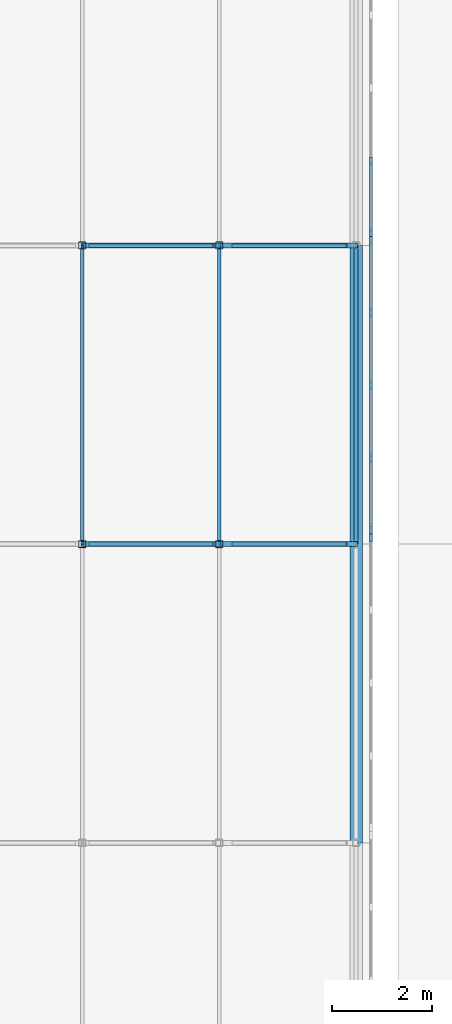
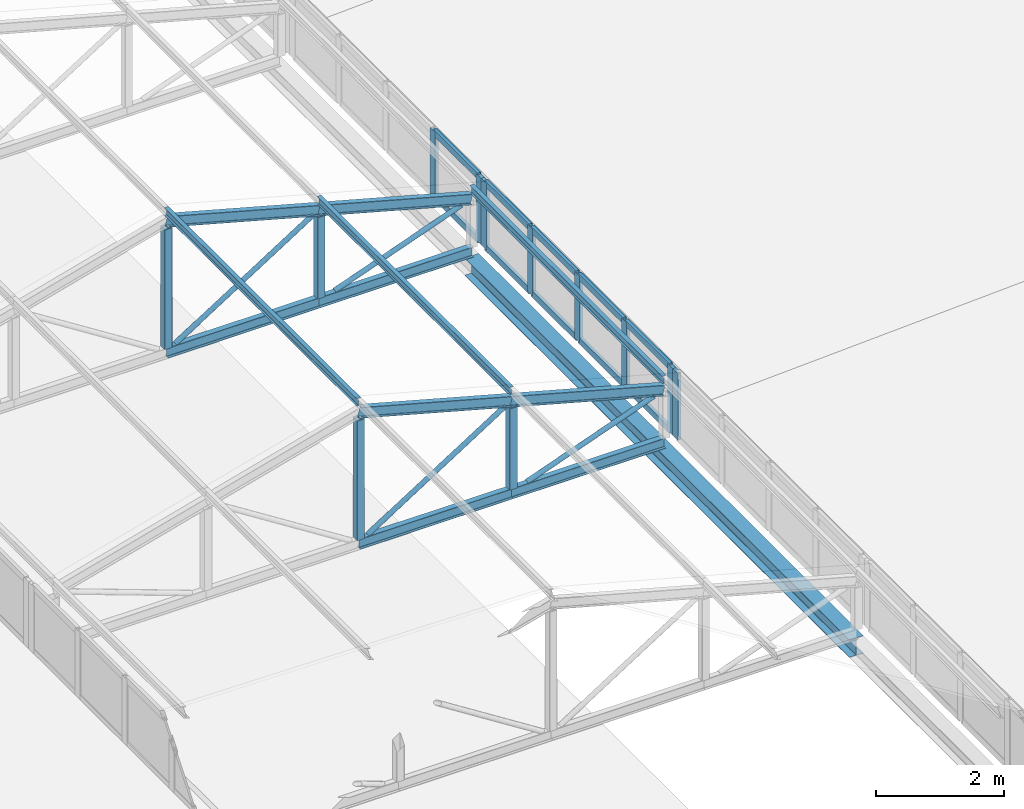
# One storey, part 20 of 94: 37 members, 1 beam, 3 elements without a shape of their own.
"""IFC4 building model written with IfcOpenShell, lengths in metres."""

import ifcopenshell
import ifcopenshell.guid

model = None  # the IFC model being written
_history = None  # IfcOwnerHistory: only IFC2X3 demands one
_inside = {}  # id of a spatial element -> (the spatial element, [elements in it])
_under = {}  # id of a project, library or spatial element -> (it, [spatial elements below it])
_declared = {}  # id of a project -> (the project, [libraries it declares])
_typed = {}  # id of a type object -> (the type object, [elements of that type])
_made_of = {}  # id of a material, layer set ... -> (it, [elements and type objects made of it])


def new_model(schema):
    """Start an empty IFC model of exactly this schema.

    Asked for "IFC4X3", IfcOpenShell would pick the latest addendum, in which some entities
    have other attributes; the version numbers below select the first issue.
    IFC2X3 requires an IfcOwnerHistory on every rooted entity: one is made here for all.
    """
    global model, _history
    if schema == "IFC4X3":
        model = ifcopenshell.file(schema_version=(4, 3, 0, 0))
    else:
        model = ifcopenshell.file(schema=schema)
    _inside.clear()
    _under.clear()
    _declared.clear()
    _typed.clear()
    _made_of.clear()
    _history = None
    if model.schema == "IFC2X3":
        org = make("IfcOrganization", Name="unknown")
        user = make(
            "IfcPersonAndOrganization",
            ThePerson=make("IfcPerson", FamilyName="unknown"),
            TheOrganization=org,
        )
        app = make(
            "IfcApplication",
            ApplicationDeveloper=org,
            Version="unknown",
            ApplicationFullName="unknown",
            ApplicationIdentifier="unknown",
        )
        _history = make(
            "IfcOwnerHistory",
            OwningUser=user,
            OwningApplication=app,
            ChangeAction="ADDED",
            CreationDate=0,
        )
    return model


def make(cls, **values):
    """One entity of the class cls with the attributes given. An attribute that is None is left unset."""
    return model.create_entity(
        cls, **{name: value for name, value in values.items() if value is not None}
    )


def rooted(cls, **values):
    """An entity with a GlobalId (a new one), such as an element, a storey or a relation."""
    return make(cls, GlobalId=ifcopenshell.guid.new(), OwnerHistory=_history, **values)


def si_unit(unit_type, name, prefix=None):
    """IfcSIUnit, for example si_unit("LENGTHUNIT", "METRE", prefix="MILLI")."""
    return make("IfcSIUnit", UnitType=unit_type, Prefix=prefix, Name=name)


def assignment(units):
    """IfcUnitAssignment: the units of a project."""
    return None if units is None else make("IfcUnitAssignment", Units=units)


def point(xyz):
    """IfcCartesianPoint."""
    return None if xyz is None else make("IfcCartesianPoint", Coordinates=xyz)


def direction(xyz):
    """IfcDirection."""
    return None if xyz is None else make("IfcDirection", DirectionRatios=xyz)


def frame(location, z_axis=None, x_axis=None):
    """IfcAxis2Placement3D, a coordinate frame: its origin and axes. An axis left out is left unset."""
    return make(
        "IfcAxis2Placement3D",
        Location=point(location),
        Axis=direction(z_axis),
        RefDirection=direction(x_axis),
    )


def frame_2d(location, x_axis=None):
    """IfcAxis2Placement2D, a coordinate frame in the plane: its origin and x axis."""
    return make(
        "IfcAxis2Placement2D", Location=point(location), RefDirection=direction(x_axis)
    )


def origin():
    """The frame at (0, 0, 0) with its axes left unset."""
    return frame((0.0, 0.0, 0.0))


def origin_2d():
    """The frame at (0, 0) in the plane with its x axis left unset."""
    return frame_2d((0.0, 0.0))


def place(relative_to, where):
    """IfcLocalPlacement: puts the frame where relative to a parent placement (None: the world)."""
    return make(
        "IfcLocalPlacement", PlacementRelTo=relative_to, RelativePlacement=where
    )


def context(
    kind, dimensions, precision=None, world=None, true_north=None, identifier=None
):
    """IfcGeometricRepresentationContext, for example the 3D "Model" context."""
    return make(
        "IfcGeometricRepresentationContext",
        ContextIdentifier=identifier,
        ContextType=kind,
        CoordinateSpaceDimension=dimensions,
        Precision=precision,
        WorldCoordinateSystem=world,
        TrueNorth=true_north,
    )


def subcontext(parent, identifier, kind, view, scale=None):
    """IfcGeometricRepresentationSubContext, for example "Body" below "Model"."""
    return make(
        "IfcGeometricRepresentationSubContext",
        ContextIdentifier=identifier,
        ContextType=kind,
        ParentContext=parent,
        TargetScale=scale,
        TargetView=view,
    )


def project(units=None, contexts=None):
    """IfcProject with its units and contexts."""
    return rooted(
        "IfcProject",
        Name="project",
        RepresentationContexts=contexts,
        UnitsInContext=assignment(units),
    )


def spatial(cls, under=None, at=None, **own):
    """A site, building, storey or space (cls), placed at a placement, below another one or the project."""
    s = rooted(cls, ObjectPlacement=at, **own)
    if under is not None:
        _under.setdefault(under.id(), (under, []))[1].append(s)
    return s


def profile(cls, at=None, kind="AREA", **sizes):
    """A parametric profile (cls). Its sizes go by their IFC names, for example OverallWidth=200.0."""
    return make(cls, ProfileType=kind, Position=at, **sizes)


def rectangle(**sizes):
    """IfcRectangleProfileDef."""
    return profile("IfcRectangleProfileDef", **sizes)


def hollow_rectangle(**sizes):
    """IfcRectangleHollowProfileDef."""
    return profile("IfcRectangleHollowProfileDef", **sizes)


def hollow_circle(**sizes):
    """IfcCircleHollowProfileDef."""
    return profile("IfcCircleHollowProfileDef", **sizes)


def i_section(**sizes):
    """IfcIShapeProfileDef."""
    return profile("IfcIShapeProfileDef", **sizes)


def extrude(swept, where, along, depth):
    """IfcExtrudedAreaSolid: the profile swept, set in the frame where, extruded along a direction by depth."""
    return make(
        "IfcExtrudedAreaSolid",
        SweptArea=swept,
        Position=where,
        ExtrudedDirection=direction(along),
        Depth=depth,
    )


def shape(context_of_items, identifier, shape_type, items):
    """IfcShapeRepresentation: the items that make up one representation, for example the "Body"."""
    return make(
        "IfcShapeRepresentation",
        ContextOfItems=context_of_items,
        RepresentationIdentifier=identifier,
        RepresentationType=shape_type,
        Items=items,
    )


def material(Name=None, Category=None):
    """IfcMaterial."""
    return make("IfcMaterial", Name=Name, Category=Category)


def layer(
    of_material, thickness, ventilated=None, Name=None, Category=None, Priority=None
):
    """IfcMaterialLayer: one layer of a wall or slab, of a material (None: an air gap)."""
    return make(
        "IfcMaterialLayer",
        Material=of_material,
        LayerThickness=thickness,
        IsVentilated=ventilated,
        Name=Name,
        Category=Category,
        Priority=Priority,
    )


def layer_set(layers, Name=None):
    """IfcMaterialLayerSet."""
    return make("IfcMaterialLayerSet", MaterialLayers=layers, LayerSetName=Name)


def material_profile(
    of_material, cross_section, Name=None, Category=None, Priority=None
):
    """IfcMaterialProfile: a cross section and its material."""
    return make(
        "IfcMaterialProfile",
        Name=Name,
        Material=of_material,
        Profile=cross_section,
        Priority=Priority,
        Category=Category,
    )


def profile_set(profiles, Name=None, composite=None):
    """IfcMaterialProfileSet."""
    return make(
        "IfcMaterialProfileSet",
        Name=Name,
        MaterialProfiles=profiles,
        CompositeProfile=composite,
    )


def made_of(thing, what):
    """Note that an element or type object is made of a material, layer set ...; save() writes the relation."""
    if what is not None:
        _made_of.setdefault(what.id(), (what, []))[1].append(thing)
    return thing


def type_object(cls, material=None, **own):
    """A type object (cls), such as IfcWallType, which elements share."""
    return made_of(rooted(cls, **own), material)


def element(
    cls,
    number,
    at=None,
    inside=None,
    cuts=None,
    type_object=None,
    material=None,
    context=None,
    identifier="Body",
    shape_type=None,
    held_by="IfcProductDefinitionShape",
    body=None,
    shapes=None,
    **own,
):
    """One element of the class cls, such as IfcWall. Its Tag is "e" and its number.

    at: its placement. inside: the storey or other place that contains it. cuts: it is an
    opening in that element (IfcRelVoidsElement). A single representation is given by context,
    identifier, shape_type and body (its items); several are given by shapes. held_by: the class
    of the entity that holds the representations. save() writes the other relations.
    """
    e = rooted(cls, Tag="e%d" % number, ObjectPlacement=at, **own)
    if body is not None:
        shapes = [shape(context, identifier, shape_type, body)]
    if shapes is not None:
        e.Representation = make(held_by, Representations=shapes)
    if inside is not None:
        _inside.setdefault(inside.id(), (inside, []))[1].append(e)
    if cuts is not None:
        rooted(
            "IfcRelVoidsElement", RelatingBuildingElement=cuts, RelatedOpeningElement=e
        )
    if type_object is not None:
        _typed.setdefault(type_object.id(), (type_object, []))[1].append(e)
    return made_of(e, material)


def aggregate(whole, parts):
    """IfcRelAggregates: a whole, such as a stair, and the parts it consists of."""
    return rooted("IfcRelAggregates", RelatingObject=whole, RelatedObjects=parts)


def save(model, path):
    """Write the relations noted so far, then the file.

    IfcRelAggregates (storeys below a building ...), IfcRelContainedInSpatialStructure (elements
    in a storey), IfcRelDefinesByType, IfcRelAssociatesMaterial and IfcRelDeclares: one each for
    every whole, place, type object, material and project.
    """
    for whole, parts in _under.values():
        aggregate(whole, parts)
    for where, things in _inside.values():
        rooted(
            "IfcRelContainedInSpatialStructure",
            RelatedElements=things,
            RelatingStructure=where,
        )
    for kind, things in _typed.values():
        rooted("IfcRelDefinesByType", RelatedObjects=things, RelatingType=kind)
    for what, things in _made_of.values():
        rooted("IfcRelAssociatesMaterial", RelatedObjects=things, RelatingMaterial=what)
    for by, libraries in _declared.values():
        rooted("IfcRelDeclares", RelatingContext=by, RelatedDefinitions=libraries)
    model.write(path)


model = new_model("IFC4")

# Units and contexts
model_context = context("Model", 3, precision=1e-05, world=origin(), true_north=direction((0.0, 1.0)))
body_context = subcontext(model_context, "Body", "Model", "MODEL_VIEW")
ifc_project = project(units=[si_unit("LENGTHUNIT", "METRE"), si_unit("AREAUNIT", "SQUARE_METRE"), si_unit("VOLUMEUNIT", "CUBIC_METRE"), si_unit("PLANEANGLEUNIT", "RADIAN"), si_unit("MASSUNIT", "GRAM", prefix="KILO")], contexts=[model_context])

# Site, building, storey
site_placement = place(None, origin())
site = spatial("IfcSite", under=ifc_project, at=site_placement, CompositionType="ELEMENT")
building_placement = place(site_placement, origin())
building = spatial("IfcBuilding", under=site, at=building_placement, Name="Lilac Gate Convention Centre", CompositionType="ELEMENT")
storey_placement = place(building_placement, frame((0.0, 0.0, 21.0)))
storey = spatial("IfcBuildingStorey", under=building, at=storey_placement, Name="L04", CompositionType="ELEMENT", Elevation=21.0)

# Curtain wall, member
ifc_material_1 = material(Name="Aluminium framed double glazing", Category="aluminium")
ifc_layer = layer(ifc_material_1, 0.199951171875)
ifc_layer_set = layer_set([ifc_layer], Name="Aluminium framed double glazing")
curtain_wall_type = type_object("IfcCurtainWallType", Name="Unitised curtain wall 1500", PredefinedType="NOTDEFINED", material=ifc_layer_set)
curtain_wall_1_placement = place(storey_placement, origin())
curtain_wall_1 = element("IfcCurtainWall", 1, at=curtain_wall_1_placement, inside=storey, type_object=curtain_wall_type, Name="Lantern clerestory E 8", PredefinedType="NOTDEFINED")
ifc_material_2 = material(Name="Aluminium alloy 6063", Category="aluminium")
ifc_material_profile_1 = material_profile(ifc_material_2, rectangle(XDim=0.06005859375, YDim=0.159912109375, at=origin_2d()), Name="Curtain wall mullion 60 x 160")
ifc_profile_set_1 = profile_set([ifc_material_profile_1], Name="Aluminium alloy 6063")
member_type_1 = type_object("IfcMemberType", Name="Curtain wall mullion 60 x 160", PredefinedType="MULLION", material=ifc_profile_set_1)
member_1_placement = place(storey_placement, frame((28.89990234375, 78.119873046875, 0.0), z_axis=(0.0, 0.0, 1.0), x_axis=(-1.0, 0.0, 0.0)))
member_1 = element("IfcMember", 2, at=member_1_placement, type_object=member_type_1, Name="CW mullion 5", PredefinedType="MULLION", context=body_context, shape_type="SweptSolid", body=[
    extrude(rectangle(XDim=0.06005859375, YDim=0.159912109375, at=origin_2d()), origin(), (0.0, 0.0, 1.0), 1.272216796875),
])
aggregate(curtain_wall_1, [member_1])

# Curtain wall, members
curtain_wall_2_placement = place(storey_placement, origin())
curtain_wall_2 = element("IfcCurtainWall", 3, at=curtain_wall_2_placement, inside=storey, type_object=curtain_wall_type, Name="Lantern clerestory E 9", PredefinedType="NOTDEFINED")
member_2_placement = place(storey_placement, frame((28.89990234375, 78.280029296875, 0.0), z_axis=(0.0, 0.0, 1.0), x_axis=(-1.0, 0.0, 0.0)))
member_2 = element("IfcMember", 4, at=member_2_placement, type_object=member_type_1, Name="CW mullion 1", PredefinedType="MULLION", context=body_context, shape_type="SweptSolid", body=[
    extrude(rectangle(XDim=0.06005859375, YDim=0.159912109375, at=origin_2d()), origin(), (0.0, 0.0, 1.0), 1.272216796875),
])
member_3_placement = place(storey_placement, frame((28.89990234375, 79.71875, 0.0), z_axis=(0.0, 0.0, 1.0), x_axis=(-1.0, 0.0, 0.0)))
member_3 = element("IfcMember", 5, at=member_3_placement, type_object=member_type_1, Name="CW mullion 2", PredefinedType="MULLION", context=body_context, shape_type="SweptSolid", body=[
    extrude(rectangle(XDim=0.06005859375, YDim=0.159912109375, at=origin_2d()), origin(), (0.0, 0.0, 1.0), 1.272216796875),
])
member_4_placement = place(storey_placement, frame((28.89990234375, 81.1875, 0.0), z_axis=(0.0, 0.0, 1.0), x_axis=(-1.0, 0.0, 0.0)))
member_4 = element("IfcMember", 6, at=member_4_placement, type_object=member_type_1, Name="CW mullion 3", PredefinedType="MULLION", context=body_context, shape_type="SweptSolid", body=[
    extrude(rectangle(XDim=0.06005859375, YDim=0.159912109375, at=origin_2d()), origin(), (0.0, 0.0, 1.0), 1.272216796875),
])
member_5_placement = place(storey_placement, frame((28.89990234375, 82.65625, 0.0), z_axis=(0.0, 0.0, 1.0), x_axis=(-1.0, 0.0, 0.0)))
member_5 = element("IfcMember", 7, at=member_5_placement, type_object=member_type_1, Name="CW mullion 4", PredefinedType="MULLION", context=body_context, shape_type="SweptSolid", body=[
    extrude(rectangle(XDim=0.06005859375, YDim=0.159912109375, at=origin_2d()), origin(), (0.0, 0.0, 1.0), 1.272216796875),
])
member_6_placement = place(storey_placement, frame((28.89990234375, 84.094970703125, 0.0), z_axis=(0.0, 0.0, 1.0), x_axis=(-1.0, 0.0, 0.0)))
member_6 = element("IfcMember", 8, at=member_6_placement, type_object=member_type_1, Name="CW mullion 5", PredefinedType="MULLION", context=body_context, shape_type="SweptSolid", body=[
    extrude(rectangle(XDim=0.06005859375, YDim=0.159912109375, at=origin_2d()), origin(), (0.0, 0.0, 1.0), 1.272216796875),
])

curtain_wall_3_placement = place(storey_placement, origin())
curtain_wall_3 = element("IfcCurtainWall", 9, at=curtain_wall_3_placement, inside=storey, type_object=curtain_wall_type, Name="Lantern clerestory E 10", PredefinedType="NOTDEFINED")
member_7_placement = place(storey_placement, frame((28.89990234375, 84.255126953125, 0.0), z_axis=(0.0, 0.0, 1.0), x_axis=(-1.0, 0.0, 0.0)))
member_7 = element("IfcMember", 10, at=member_7_placement, type_object=member_type_1, Name="CW mullion 1", PredefinedType="MULLION", context=body_context, shape_type="SweptSolid", body=[
    extrude(rectangle(XDim=0.06005859375, YDim=0.159912109375, at=origin_2d()), origin(), (0.0, 0.0, 1.0), 1.272216796875),
])
member_8_placement = place(storey_placement, frame((28.89990234375, 85.69384765625, 0.0), z_axis=(0.0, 0.0, 1.0), x_axis=(-1.0, 0.0, 0.0)))
member_8 = element("IfcMember", 11, at=member_8_placement, type_object=member_type_1, Name="CW mullion 2", PredefinedType="MULLION", context=body_context, shape_type="SweptSolid", body=[
    extrude(rectangle(XDim=0.06005859375, YDim=0.159912109375, at=origin_2d()), origin(), (0.0, 0.0, 1.0), 1.272216796875),
])

# Member
ifc_material_profile_2 = material_profile(ifc_material_2, rectangle(XDim=0.06005859375, YDim=0.1201171875, at=origin_2d()), Name="Curtain wall transom 60 x 120")
ifc_profile_set_2 = profile_set([ifc_material_profile_2], Name="Aluminium alloy 6063")
member_type_2 = type_object("IfcMemberType", Name="Curtain wall transom 60 x 120", PredefinedType="USERDEFINED", material=ifc_profile_set_2)
member_9_placement = place(storey_placement, frame((28.89990234375, 78.31005859375, 0.030029296875), z_axis=(0.0, 1.0, 0.0), x_axis=(-1.0, 0.0, 0.0)))
member_9 = element("IfcMember", 12, at=member_9_placement, type_object=member_type_2, Name="CW transom 1.1", ObjectType="TRANSOM", PredefinedType="USERDEFINED", context=body_context, shape_type="SweptSolid", body=[
    extrude(rectangle(XDim=0.06005859375, YDim=0.1201171875, at=origin_2d()), origin(), (0.0, 0.0, 1.0), 1.378662109375),
])

member_10_placement = place(storey_placement, frame((28.89990234375, 78.31005859375, 1.2421875), z_axis=(0.0, 1.0, 0.0), x_axis=(-1.0, 0.0, 0.0)))
member_10 = element("IfcMember", 13, at=member_10_placement, type_object=member_type_2, Name="CW transom 1.2", ObjectType="TRANSOM", PredefinedType="USERDEFINED", context=body_context, shape_type="SweptSolid", body=[
    extrude(rectangle(XDim=0.06005859375, YDim=0.1201171875, at=origin_2d()), origin(), (0.0, 0.0, 1.0), 1.378662109375),
])

member_11_placement = place(storey_placement, frame((28.89990234375, 79.748779296875, 0.030029296875), z_axis=(0.0, 1.0, 0.0), x_axis=(-1.0, 0.0, 0.0)))
member_11 = element("IfcMember", 14, at=member_11_placement, type_object=member_type_2, Name="CW transom 2.1", ObjectType="TRANSOM", PredefinedType="USERDEFINED", context=body_context, shape_type="SweptSolid", body=[
    extrude(rectangle(XDim=0.06005859375, YDim=0.1201171875, at=origin_2d()), origin(), (0.0, 0.0, 1.0), 1.40869140625),
])

member_12_placement = place(storey_placement, frame((28.89990234375, 79.748779296875, 1.2421875), z_axis=(0.0, 1.0, 0.0), x_axis=(-1.0, 0.0, 0.0)))
member_12 = element("IfcMember", 15, at=member_12_placement, type_object=member_type_2, Name="CW transom 2.2", ObjectType="TRANSOM", PredefinedType="USERDEFINED", context=body_context, shape_type="SweptSolid", body=[
    extrude(rectangle(XDim=0.06005859375, YDim=0.1201171875, at=origin_2d()), origin(), (0.0, 0.0, 1.0), 1.40869140625),
])

member_13_placement = place(storey_placement, frame((28.89990234375, 81.217529296875, 0.030029296875), z_axis=(0.0, 1.0, 0.0), x_axis=(-1.0, 0.0, 0.0)))
member_13 = element("IfcMember", 16, at=member_13_placement, type_object=member_type_2, Name="CW transom 3.1", ObjectType="TRANSOM", PredefinedType="USERDEFINED", context=body_context, shape_type="SweptSolid", body=[
    extrude(rectangle(XDim=0.06005859375, YDim=0.1201171875, at=origin_2d()), origin(), (0.0, 0.0, 1.0), 1.40869140625),
])

member_14_placement = place(storey_placement, frame((28.89990234375, 81.217529296875, 1.2421875), z_axis=(0.0, 1.0, 0.0), x_axis=(-1.0, 0.0, 0.0)))
member_14 = element("IfcMember", 17, at=member_14_placement, type_object=member_type_2, Name="CW transom 3.2", ObjectType="TRANSOM", PredefinedType="USERDEFINED", context=body_context, shape_type="SweptSolid", body=[
    extrude(rectangle(XDim=0.06005859375, YDim=0.1201171875, at=origin_2d()), origin(), (0.0, 0.0, 1.0), 1.40869140625),
])

member_15_placement = place(storey_placement, frame((28.89990234375, 82.686279296875, 0.030029296875), z_axis=(0.0, 1.0, 0.0), x_axis=(-1.0, 0.0, 0.0)))
member_15 = element("IfcMember", 18, at=member_15_placement, type_object=member_type_2, Name="CW transom 4.1", ObjectType="TRANSOM", PredefinedType="USERDEFINED", context=body_context, shape_type="SweptSolid", body=[
    extrude(rectangle(XDim=0.06005859375, YDim=0.1201171875, at=origin_2d()), origin(), (0.0, 0.0, 1.0), 1.378662109375),
])

member_16_placement = place(storey_placement, frame((28.89990234375, 82.686279296875, 1.2421875), z_axis=(0.0, 1.0, 0.0), x_axis=(-1.0, 0.0, 0.0)))
member_16 = element("IfcMember", 19, at=member_16_placement, type_object=member_type_2, Name="CW transom 4.2", ObjectType="TRANSOM", PredefinedType="USERDEFINED", context=body_context, shape_type="SweptSolid", body=[
    extrude(rectangle(XDim=0.06005859375, YDim=0.1201171875, at=origin_2d()), origin(), (0.0, 0.0, 1.0), 1.378662109375),
])

aggregate(curtain_wall_2, [member_2, member_3, member_4, member_5, member_6, member_9, member_10, member_11, member_12, member_13, member_14, member_15, member_16])

member_17_placement = place(storey_placement, frame((28.89990234375, 84.28515625, 0.030029296875), z_axis=(0.0, 1.0, 0.0), x_axis=(-1.0, 0.0, 0.0)))
member_17 = element("IfcMember", 20, at=member_17_placement, type_object=member_type_2, Name="CW transom 1.1", ObjectType="TRANSOM", PredefinedType="USERDEFINED", context=body_context, shape_type="SweptSolid", body=[
    extrude(rectangle(XDim=0.06005859375, YDim=0.1201171875, at=origin_2d()), origin(), (0.0, 0.0, 1.0), 1.378662109375),
])

member_18_placement = place(storey_placement, frame((28.89990234375, 84.28515625, 1.2421875), z_axis=(0.0, 1.0, 0.0), x_axis=(-1.0, 0.0, 0.0)))
member_18 = element("IfcMember", 21, at=member_18_placement, type_object=member_type_2, Name="CW transom 1.2", ObjectType="TRANSOM", PredefinedType="USERDEFINED", context=body_context, shape_type="SweptSolid", body=[
    extrude(rectangle(XDim=0.06005859375, YDim=0.1201171875, at=origin_2d()), origin(), (0.0, 0.0, 1.0), 1.378662109375),
])

aggregate(curtain_wall_3, [member_7, member_8, member_17, member_18])

# Members
ifc_material_3 = material(Name="Steel Q355B", Category="steel")
ifc_material_profile_3 = material_profile(ifc_material_3, i_section(OverallWidth=0.10009765625, OverallDepth=0.199951171875, WebThickness=0.005615234375, FlangeThickness=0.008056640625, FilletRadius=0.008056640625, at=origin_2d()), Name="HN200x100x5.5x8")
ifc_profile_set_3 = profile_set([ifc_material_profile_3], Name="Steel Q355B")
member_type_3 = type_object("IfcMemberType", Name="Lantern bottom chord HN200x100x5.5x8", PredefinedType="CHORD", material=ifc_profile_set_3)
for number, where, z_axis, x_axis, name in (
    (22, (23.10009765625, 78.0, 0.10009765625), (1.0, 0.0, 0.0), (0.0, 1.0, 0.0), "LB1 lantern truss 9 bottom chord 3"),
    (23, (25.85009765625, 78.0, 0.10009765625), (1.0, 0.0, 0.0), (0.0, 1.0, 0.0), "LB1 lantern truss 9 bottom chord 4"),
    (24, (23.10009765625, 84.0, 0.10009765625), (1.0, 0.0, 0.0), (0.0, 1.0, 0.0), "LB1 lantern truss 10 bottom chord 3"),
    (25, (25.85009765625, 84.0, 0.10009765625), (1.0, 0.0, 0.0), (0.0, 1.0, 0.0), "LB1 lantern truss 10 bottom chord 4"),
):
    element("IfcMember", number, at=place(storey_placement, frame(where, z_axis=z_axis, x_axis=x_axis)), inside=storey, type_object=member_type_3, Name=name, PredefinedType="CHORD", context=body_context, shape_type="SweptSolid", body=[
        extrude(i_section(OverallWidth=0.10009765625, OverallDepth=0.199951171875, WebThickness=0.005615234375, FlangeThickness=0.008056640625, FilletRadius=0.008056640625, at=origin_2d()), origin(), (0.0, 0.0, 1.0), 2.75),
    ])
ifc_material_profile_4 = material_profile(ifc_material_3, hollow_circle(Radius=0.04443359375, WallThickness=0.0048828125, at=origin_2d()), Name="CHS88.9x5")
ifc_profile_set_4 = profile_set([ifc_material_profile_4], Name="Steel Q355B")
member_type_4 = type_object("IfcMemberType", Name="Lantern diagonal CHS88.9x5", PredefinedType="BRACE", material=ifc_profile_set_4)
member_19_placement = place(storey_placement, frame((25.74169921875, 78.0, 1.781005859375), z_axis=(-0.843671728148, 0.0, -0.536859399773), x_axis=(0.0, -1.0, 0.0)))
element("IfcMember", 26, at=member_19_placement, inside=storey, type_object=member_type_4, Name="LW1 lantern truss 9 diagonal 3", PredefinedType="BRACE", context=body_context, shape_type="SweptSolid", body=[
    extrude(hollow_circle(Radius=0.04443359375, WallThickness=0.0048828125, at=origin_2d()), origin(), (0.0, 0.0, 1.0), 2.945068359375),
])
member_20_placement = place(storey_placement, frame((28.410400390625, 78.0, 1.031005859375), z_axis=(-0.939793423488, 0.0, -0.341743063087), x_axis=(0.0, -1.0, 0.0)))
element("IfcMember", 27, at=member_20_placement, inside=storey, type_object=member_type_4, Name="LW1 lantern truss 9 diagonal 4", PredefinedType="BRACE", context=body_context, shape_type="SweptSolid", body=[
    extrude(hollow_circle(Radius=0.04443359375, WallThickness=0.0048828125, at=origin_2d()), origin(), (0.0, 0.0, 1.0), 2.431884765625),
])
member_21_placement = place(storey_placement, frame((25.74169921875, 84.0, 1.781005859375), z_axis=(-0.843671728148, 0.0, -0.536859399773), x_axis=(0.0, -1.0, 0.0)))
element("IfcMember", 28, at=member_21_placement, inside=storey, type_object=member_type_4, Name="LW1 lantern truss 10 diagonal 3", PredefinedType="BRACE", context=body_context, shape_type="SweptSolid", body=[
    extrude(hollow_circle(Radius=0.04443359375, WallThickness=0.0048828125, at=origin_2d()), origin(), (0.0, 0.0, 1.0), 2.945068359375),
])
member_22_placement = place(storey_placement, frame((28.410400390625, 84.0, 1.031005859375), z_axis=(-0.939793423488, 0.0, -0.341743063087), x_axis=(0.0, -1.0, 0.0)))
element("IfcMember", 29, at=member_22_placement, inside=storey, type_object=member_type_4, Name="LW1 lantern truss 10 diagonal 4", PredefinedType="BRACE", context=body_context, shape_type="SweptSolid", body=[
    extrude(hollow_circle(Radius=0.04443359375, WallThickness=0.0048828125, at=origin_2d()), origin(), (0.0, 0.0, 1.0), 2.431884765625),
])
ifc_material_profile_5 = material_profile(ifc_material_3, hollow_rectangle(XDim=0.139892578125, YDim=0.139892578125, WallThickness=0.0048828125, InnerFilletRadius=0.0048828125, OuterFilletRadius=0.010009765625, at=origin_2d()), Name="SHS140x140x5")
ifc_profile_set_5 = profile_set([ifc_material_profile_5], Name="Steel Q355B")
member_type_5 = type_object("IfcMemberType", Name="Lantern post SHS140x140x5", PredefinedType="STRUT", material=ifc_profile_set_5)
member_23_placement = place(storey_placement, frame((23.10009765625, 78.0, 0.199951171875), z_axis=(0.0, 0.0, 1.0), x_axis=(1.0, 0.0, 0.0)))
element("IfcMember", 30, at=member_23_placement, inside=storey, type_object=member_type_5, Name="LV1 lantern truss 9 post 3", PredefinedType="STRUT", context=body_context, shape_type="SweptSolid", body=[
    extrude(hollow_rectangle(XDim=0.139892578125, YDim=0.139892578125, WallThickness=0.0048828125, InnerFilletRadius=0.0048828125, OuterFilletRadius=0.010009765625, at=origin_2d()), origin(), (0.0, 0.0, 1.0), 2.277099609375),
])
member_24_placement = place(storey_placement, frame((25.85009765625, 78.0, 0.199951171875), z_axis=(0.0, 0.0, 1.0), x_axis=(1.0, 0.0, 0.0)))
element("IfcMember", 31, at=member_24_placement, inside=storey, type_object=member_type_5, Name="LV1 lantern truss 9 post 4", PredefinedType="STRUT", context=body_context, shape_type="SweptSolid", body=[
    extrude(hollow_rectangle(XDim=0.139892578125, YDim=0.139892578125, WallThickness=0.0048828125, InnerFilletRadius=0.0048828125, OuterFilletRadius=0.010009765625, at=origin_2d()), origin(), (0.0, 0.0, 1.0), 1.546142578125),
])
member_25_placement = place(storey_placement, frame((23.10009765625, 84.0, 0.199951171875), z_axis=(0.0, 0.0, 1.0), x_axis=(1.0, 0.0, 0.0)))
element("IfcMember", 32, at=member_25_placement, inside=storey, type_object=member_type_5, Name="LV1 lantern truss 10 post 3", PredefinedType="STRUT", context=body_context, shape_type="SweptSolid", body=[
    extrude(hollow_rectangle(XDim=0.139892578125, YDim=0.139892578125, WallThickness=0.0048828125, InnerFilletRadius=0.0048828125, OuterFilletRadius=0.010009765625, at=origin_2d()), origin(), (0.0, 0.0, 1.0), 2.277099609375),
])
member_26_placement = place(storey_placement, frame((25.85009765625, 84.0, 0.199951171875), z_axis=(0.0, 0.0, 1.0), x_axis=(1.0, 0.0, 0.0)))
element("IfcMember", 33, at=member_26_placement, inside=storey, type_object=member_type_5, Name="LV1 lantern truss 10 post 4", PredefinedType="STRUT", context=body_context, shape_type="SweptSolid", body=[
    extrude(hollow_rectangle(XDim=0.139892578125, YDim=0.139892578125, WallThickness=0.0048828125, InnerFilletRadius=0.0048828125, OuterFilletRadius=0.010009765625, at=origin_2d()), origin(), (0.0, 0.0, 1.0), 1.546142578125),
])
ifc_material_profile_6 = material_profile(ifc_material_3, i_section(OverallWidth=0.074951171875, OverallDepth=0.14990234375, WebThickness=0.0048828125, FlangeThickness=0.007080078125, FilletRadius=0.008056640625, at=origin_2d()), Name="HN150x75x5x7")
ifc_profile_set_6 = profile_set([ifc_material_profile_6], Name="Steel Q355B")
member_type_6 = type_object("IfcMemberType", Name="Lantern purlin HN150x75x5x7", PredefinedType="PURLIN", material=ifc_profile_set_6)
for number, where, z_axis, x_axis, name in (
    (34, (23.10009765625, 78.0, 2.779052734375), (0.0, 1.0, 0.0), (-1.0, 0.0, 0.0), "LP1 lantern purlin bay 9 line 3"),
    (35, (25.85009765625, 78.0, 2.029052734375), (0.0, 1.0, 0.0), (-1.0, 0.0, 0.0), "LP1 lantern purlin bay 9 line 4"),
    (36, (28.60009765625, 78.0, 1.279052734375), (0.0, 1.0, 0.0), (-1.0, 0.0, 0.0), "LP1 lantern purlin bay 9 line 5"),
):
    element("IfcMember", number, at=place(storey_placement, frame(where, z_axis=z_axis, x_axis=x_axis)), inside=storey, type_object=member_type_6, Name=name, PredefinedType="PURLIN", context=body_context, shape_type="SweptSolid", body=[
        extrude(i_section(OverallWidth=0.074951171875, OverallDepth=0.14990234375, WebThickness=0.0048828125, FlangeThickness=0.007080078125, FilletRadius=0.008056640625, at=origin_2d()), origin(), (0.0, 0.0, 1.0), 6.0),
    ])
ifc_material_profile_7 = material_profile(ifc_material_3, i_section(OverallWidth=0.10009765625, OverallDepth=0.199951171875, WebThickness=0.005615234375, FlangeThickness=0.008056640625, FilletRadius=0.008056640625, at=origin_2d()), Name="HN200x100x5.5x8")
ifc_profile_set_7 = profile_set([ifc_material_profile_7], Name="Steel Q355B")
member_type_7 = type_object("IfcMemberType", Name="Lantern top chord HN200x100x5.5x8", PredefinedType="CHORD", material=ifc_profile_set_7)
for number, where, z_axis, x_axis, name in (
    (37, (23.10009765625, 78.0, 2.60009765625), (0.964763821238, 0.0, -0.263117405792), (0.0, 1.0, 0.0), "LT1 lantern truss 9 top chord 3"),
    (38, (25.85009765625, 78.0, 1.85009765625), (0.964763821238, 0.0, -0.263117405792), (0.0, 1.0, 0.0), "LT1 lantern truss 9 top chord 4"),
    (39, (23.10009765625, 84.0, 2.60009765625), (0.964763821238, 0.0, -0.263117405792), (0.0, 1.0, 0.0), "LT1 lantern truss 10 top chord 3"),
    (40, (25.85009765625, 84.0, 1.85009765625), (0.964763821238, 0.0, -0.263117405792), (0.0, 1.0, 0.0), "LT1 lantern truss 10 top chord 4"),
):
    element("IfcMember", number, at=place(storey_placement, frame(where, z_axis=z_axis, x_axis=x_axis)), inside=storey, type_object=member_type_7, Name=name, PredefinedType="CHORD", context=body_context, shape_type="SweptSolid", body=[
        extrude(i_section(OverallWidth=0.10009765625, OverallDepth=0.199951171875, WebThickness=0.005615234375, FlangeThickness=0.008056640625, FilletRadius=0.008056640625, at=origin_2d()), origin(), (0.0, 0.0, 1.0), 2.850341796875),
    ])

# Beam
ifc_material_profile_8 = material_profile(ifc_material_3, i_section(OverallWidth=0.25, OverallDepth=0.340087890625, WebThickness=0.009033203125, FlangeThickness=0.013916015625, FilletRadius=0.012939453125, at=origin_2d()), Name="HM340x250x9x14")
ifc_profile_set_8 = profile_set([ifc_material_profile_8], Name="Steel Q355B")
beam_type = type_object("IfcBeamType", Name="Steel edge beam HM340x250x9x14", PredefinedType="BEAM", material=ifc_profile_set_8)
beam_placement = place(storey_placement, frame((28.60009765625, 72.0, -0.169921875), z_axis=(0.0, 1.0, 0.0), x_axis=(-1.0, 0.0, 0.0)))
element("IfcBeam", 41, at=beam_placement, inside=storey, type_object=beam_type, Name="LE1 lantern edge beam 5", PredefinedType="BEAM", context=body_context, shape_type="SweptSolid", body=[
    extrude(i_section(OverallWidth=0.25, OverallDepth=0.340087890625, WebThickness=0.009033203125, FlangeThickness=0.013916015625, FilletRadius=0.012939453125, at=origin_2d()), origin(), (0.0, 0.0, 1.0), 12.0),
])

save(model, "model.ifc")
